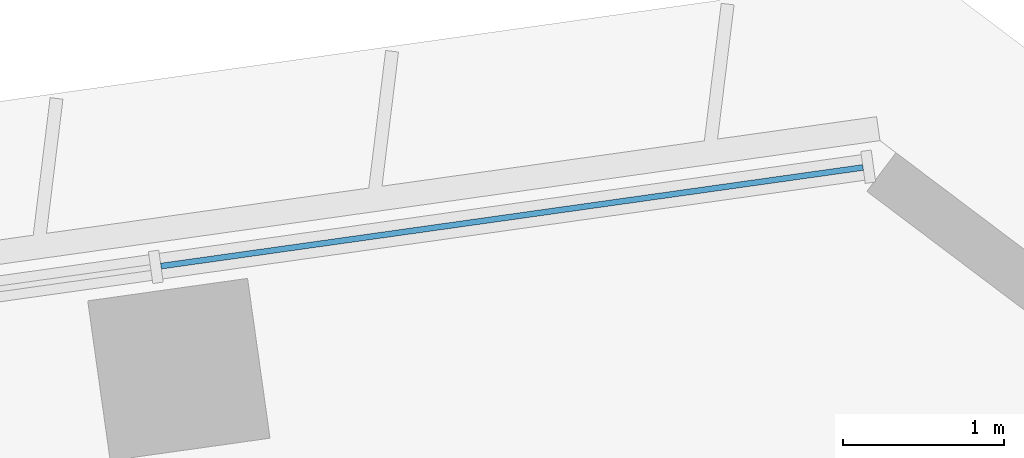
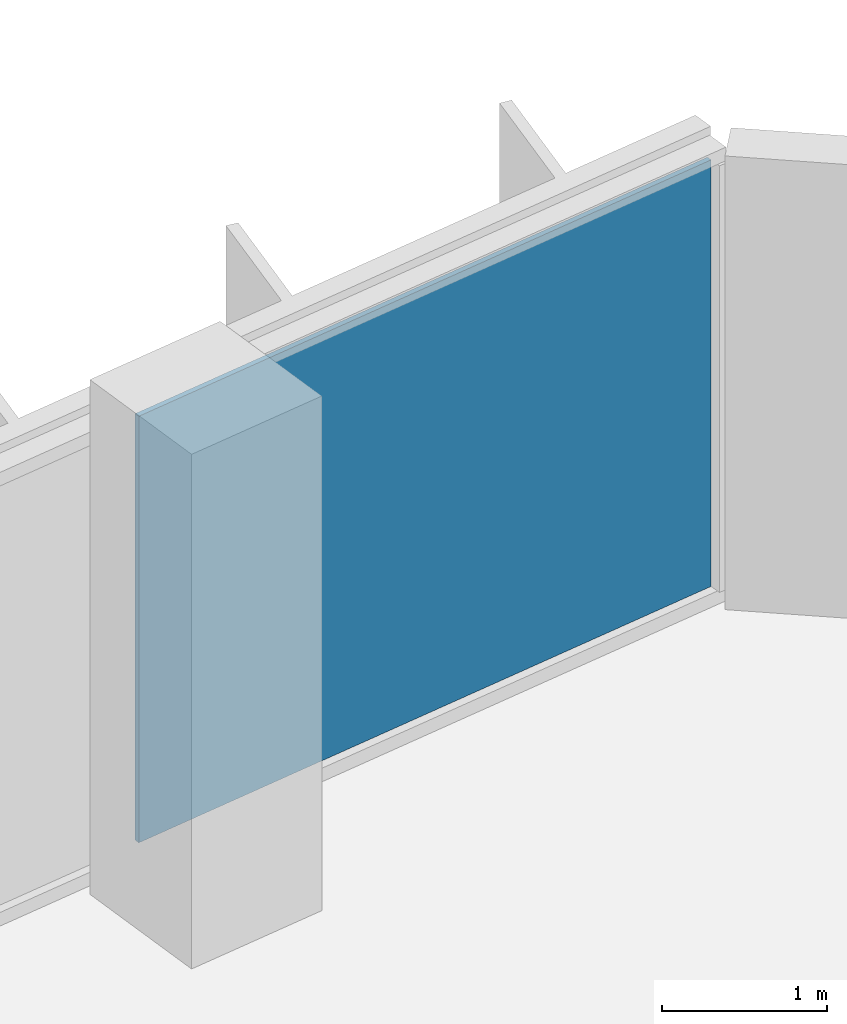
# One storey, part 13 of 25: 1 plate, 1 element without a shape of its own.
"""IFC4 building model written with IfcOpenShell, lengths in metres."""

from ifc_helpers import new_model, si_unit, direction, frame, origin, origin_2d, place, context, subcontext, project, spatial, rectangle, extrude, material, layer, layer_set, type_object, element, aggregate, save


model = new_model("IFC4")

# Units and contexts
model_context = context("Model", 3, precision=1e-05, world=origin(), true_north=direction((0.0, 1.0)))
body_context = subcontext(model_context, "Body", "Model", "MODEL_VIEW")
ifc_project = project(units=[si_unit("LENGTHUNIT", "METRE"), si_unit("AREAUNIT", "SQUARE_METRE"), si_unit("VOLUMEUNIT", "CUBIC_METRE"), si_unit("PLANEANGLEUNIT", "RADIAN"), si_unit("MASSUNIT", "GRAM", prefix="KILO")], contexts=[model_context])

# Site, building, storey
site_placement = place(None, origin())
site = spatial("IfcSite", under=ifc_project, at=site_placement, CompositionType="ELEMENT")
building_placement = place(site_placement, origin())
building = spatial("IfcBuilding", under=site, at=building_placement, Name="Mirante Cascada Hotel Towers", CompositionType="ELEMENT")
storey_placement = place(building_placement, frame((0.0, 0.0, 58.5)))
storey = spatial("IfcBuildingStorey", under=building, at=storey_placement, Name="L11", CompositionType="ELEMENT", Elevation=58.5)

# Curtain wall, plate
ifc_material_1 = material(Name="Aluminium mullion and transom frame with clear laminated glass", Category="aluminium")
curtain_wall_type = type_object("IfcCurtainWallType", Name="Ribbon curtain wall ECW1", PredefinedType="NOTDEFINED", material=ifc_material_1)
curtain_wall_placement = place(storey_placement, origin())
curtain_wall = element("IfcCurtainWall", 1, at=curtain_wall_placement, inside=storey, type_object=curtain_wall_type, Name="Front ribbon wall T2 L11", PredefinedType="NOTDEFINED")
ifc_material_2 = material(Name="Clear laminated glass", Category="glass")
ifc_layer = layer(ifc_material_2, 0.036)
ifc_layer_set = layer_set([ifc_layer], Name="ECW1 glass panel 36")
plate_type = type_object("IfcPlateType", Name="ECW1 glass panel 36", PredefinedType="CURTAIN_PANEL", material=ifc_layer_set)
plate_placement = place(storey_placement, frame((91.9184, 25.7373, 0.1), z_axis=(0.0, 0.0, 1.0), x_axis=(-0.9902681, -0.1391731, 0.0)))
plate = element("IfcPlate", 2, at=plate_placement, type_object=plate_type, Name="ECW1 panel 1", PredefinedType="CURTAIN_PANEL", context=body_context, shape_type="SweptSolid", body=[
    extrude(rectangle(XDim=4.3936, YDim=0.036, at=origin_2d()), origin(), (0.0, 0.0, 1.0), 3.15),
])
aggregate(curtain_wall, [plate])

save(model, "model.ifc")
